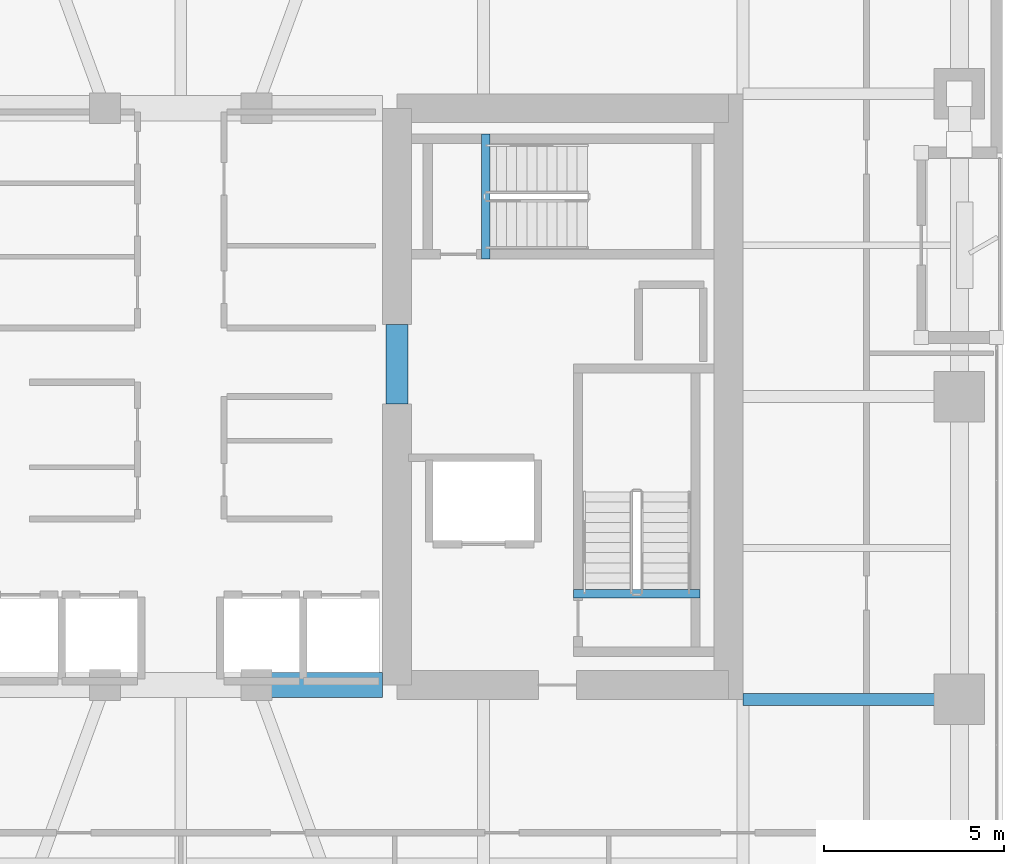
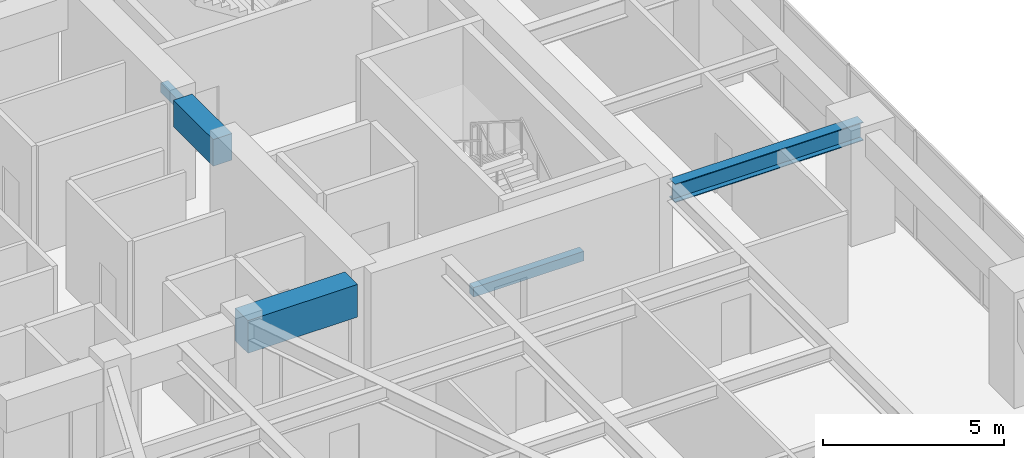
# One storey, part 5 of 24: 5 beams.
"""IFC4 building model written with IfcOpenShell, lengths in metres."""

import ifcopenshell
import ifcopenshell.guid

model = None  # the IFC model being written
_history = None  # IfcOwnerHistory: only IFC2X3 demands one
_inside = {}  # id of a spatial element -> (the spatial element, [elements in it])
_under = {}  # id of a project, library or spatial element -> (it, [spatial elements below it])
_declared = {}  # id of a project -> (the project, [libraries it declares])
_typed = {}  # id of a type object -> (the type object, [elements of that type])
_made_of = {}  # id of a material, layer set ... -> (it, [elements and type objects made of it])


def new_model(schema):
    """Start an empty IFC model of exactly this schema.

    Asked for "IFC4X3", IfcOpenShell would pick the latest addendum, in which some entities
    have other attributes; the version numbers below select the first issue.
    IFC2X3 requires an IfcOwnerHistory on every rooted entity: one is made here for all.
    """
    global model, _history
    if schema == "IFC4X3":
        model = ifcopenshell.file(schema_version=(4, 3, 0, 0))
    else:
        model = ifcopenshell.file(schema=schema)
    _inside.clear()
    _under.clear()
    _declared.clear()
    _typed.clear()
    _made_of.clear()
    _history = None
    if model.schema == "IFC2X3":
        org = make("IfcOrganization", Name="unknown")
        user = make(
            "IfcPersonAndOrganization",
            ThePerson=make("IfcPerson", FamilyName="unknown"),
            TheOrganization=org,
        )
        app = make(
            "IfcApplication",
            ApplicationDeveloper=org,
            Version="unknown",
            ApplicationFullName="unknown",
            ApplicationIdentifier="unknown",
        )
        _history = make(
            "IfcOwnerHistory",
            OwningUser=user,
            OwningApplication=app,
            ChangeAction="ADDED",
            CreationDate=0,
        )
    return model


def make(cls, **values):
    """One entity of the class cls with the attributes given. An attribute that is None is left unset."""
    return model.create_entity(
        cls, **{name: value for name, value in values.items() if value is not None}
    )


def rooted(cls, **values):
    """An entity with a GlobalId (a new one), such as an element, a storey or a relation."""
    return make(cls, GlobalId=ifcopenshell.guid.new(), OwnerHistory=_history, **values)


def si_unit(unit_type, name, prefix=None):
    """IfcSIUnit, for example si_unit("LENGTHUNIT", "METRE", prefix="MILLI")."""
    return make("IfcSIUnit", UnitType=unit_type, Prefix=prefix, Name=name)


def assignment(units):
    """IfcUnitAssignment: the units of a project."""
    return None if units is None else make("IfcUnitAssignment", Units=units)


def point(xyz):
    """IfcCartesianPoint."""
    return None if xyz is None else make("IfcCartesianPoint", Coordinates=xyz)


def direction(xyz):
    """IfcDirection."""
    return None if xyz is None else make("IfcDirection", DirectionRatios=xyz)


def frame(location, z_axis=None, x_axis=None):
    """IfcAxis2Placement3D, a coordinate frame: its origin and axes. An axis left out is left unset."""
    return make(
        "IfcAxis2Placement3D",
        Location=point(location),
        Axis=direction(z_axis),
        RefDirection=direction(x_axis),
    )


def frame_2d(location, x_axis=None):
    """IfcAxis2Placement2D, a coordinate frame in the plane: its origin and x axis."""
    return make(
        "IfcAxis2Placement2D", Location=point(location), RefDirection=direction(x_axis)
    )


def origin():
    """The frame at (0, 0, 0) with its axes left unset."""
    return frame((0.0, 0.0, 0.0))


def origin_2d():
    """The frame at (0, 0) in the plane with its x axis left unset."""
    return frame_2d((0.0, 0.0))


def place(relative_to, where):
    """IfcLocalPlacement: puts the frame where relative to a parent placement (None: the world)."""
    return make(
        "IfcLocalPlacement", PlacementRelTo=relative_to, RelativePlacement=where
    )


def context(
    kind, dimensions, precision=None, world=None, true_north=None, identifier=None
):
    """IfcGeometricRepresentationContext, for example the 3D "Model" context."""
    return make(
        "IfcGeometricRepresentationContext",
        ContextIdentifier=identifier,
        ContextType=kind,
        CoordinateSpaceDimension=dimensions,
        Precision=precision,
        WorldCoordinateSystem=world,
        TrueNorth=true_north,
    )


def subcontext(parent, identifier, kind, view, scale=None):
    """IfcGeometricRepresentationSubContext, for example "Body" below "Model"."""
    return make(
        "IfcGeometricRepresentationSubContext",
        ContextIdentifier=identifier,
        ContextType=kind,
        ParentContext=parent,
        TargetScale=scale,
        TargetView=view,
    )


def project(units=None, contexts=None):
    """IfcProject with its units and contexts."""
    return rooted(
        "IfcProject",
        Name="project",
        RepresentationContexts=contexts,
        UnitsInContext=assignment(units),
    )


def spatial(cls, under=None, at=None, **own):
    """A site, building, storey or space (cls), placed at a placement, below another one or the project."""
    s = rooted(cls, ObjectPlacement=at, **own)
    if under is not None:
        _under.setdefault(under.id(), (under, []))[1].append(s)
    return s


def profile(cls, at=None, kind="AREA", **sizes):
    """A parametric profile (cls). Its sizes go by their IFC names, for example OverallWidth=200.0."""
    return make(cls, ProfileType=kind, Position=at, **sizes)


def rectangle(**sizes):
    """IfcRectangleProfileDef."""
    return profile("IfcRectangleProfileDef", **sizes)


def i_section(**sizes):
    """IfcIShapeProfileDef."""
    return profile("IfcIShapeProfileDef", **sizes)


def extrude(swept, where, along, depth):
    """IfcExtrudedAreaSolid: the profile swept, set in the frame where, extruded along a direction by depth."""
    return make(
        "IfcExtrudedAreaSolid",
        SweptArea=swept,
        Position=where,
        ExtrudedDirection=direction(along),
        Depth=depth,
    )


def shape(context_of_items, identifier, shape_type, items):
    """IfcShapeRepresentation: the items that make up one representation, for example the "Body"."""
    return make(
        "IfcShapeRepresentation",
        ContextOfItems=context_of_items,
        RepresentationIdentifier=identifier,
        RepresentationType=shape_type,
        Items=items,
    )


def material(Name=None, Category=None):
    """IfcMaterial."""
    return make("IfcMaterial", Name=Name, Category=Category)


def material_profile(
    of_material, cross_section, Name=None, Category=None, Priority=None
):
    """IfcMaterialProfile: a cross section and its material."""
    return make(
        "IfcMaterialProfile",
        Name=Name,
        Material=of_material,
        Profile=cross_section,
        Priority=Priority,
        Category=Category,
    )


def profile_set(profiles, Name=None, composite=None):
    """IfcMaterialProfileSet."""
    return make(
        "IfcMaterialProfileSet",
        Name=Name,
        MaterialProfiles=profiles,
        CompositeProfile=composite,
    )


def made_of(thing, what):
    """Note that an element or type object is made of a material, layer set ...; save() writes the relation."""
    if what is not None:
        _made_of.setdefault(what.id(), (what, []))[1].append(thing)
    return thing


def type_object(cls, material=None, **own):
    """A type object (cls), such as IfcWallType, which elements share."""
    return made_of(rooted(cls, **own), material)


def element(
    cls,
    number,
    at=None,
    inside=None,
    cuts=None,
    type_object=None,
    material=None,
    context=None,
    identifier="Body",
    shape_type=None,
    held_by="IfcProductDefinitionShape",
    body=None,
    shapes=None,
    **own,
):
    """One element of the class cls, such as IfcWall. Its Tag is "e" and its number.

    at: its placement. inside: the storey or other place that contains it. cuts: it is an
    opening in that element (IfcRelVoidsElement). A single representation is given by context,
    identifier, shape_type and body (its items); several are given by shapes. held_by: the class
    of the entity that holds the representations. save() writes the other relations.
    """
    e = rooted(cls, Tag="e%d" % number, ObjectPlacement=at, **own)
    if body is not None:
        shapes = [shape(context, identifier, shape_type, body)]
    if shapes is not None:
        e.Representation = make(held_by, Representations=shapes)
    if inside is not None:
        _inside.setdefault(inside.id(), (inside, []))[1].append(e)
    if cuts is not None:
        rooted(
            "IfcRelVoidsElement", RelatingBuildingElement=cuts, RelatedOpeningElement=e
        )
    if type_object is not None:
        _typed.setdefault(type_object.id(), (type_object, []))[1].append(e)
    return made_of(e, material)


def aggregate(whole, parts):
    """IfcRelAggregates: a whole, such as a stair, and the parts it consists of."""
    return rooted("IfcRelAggregates", RelatingObject=whole, RelatedObjects=parts)


def save(model, path):
    """Write the relations noted so far, then the file.

    IfcRelAggregates (storeys below a building ...), IfcRelContainedInSpatialStructure (elements
    in a storey), IfcRelDefinesByType, IfcRelAssociatesMaterial and IfcRelDeclares: one each for
    every whole, place, type object, material and project.
    """
    for whole, parts in _under.values():
        aggregate(whole, parts)
    for where, things in _inside.values():
        rooted(
            "IfcRelContainedInSpatialStructure",
            RelatedElements=things,
            RelatingStructure=where,
        )
    for kind, things in _typed.values():
        rooted("IfcRelDefinesByType", RelatedObjects=things, RelatingType=kind)
    for what, things in _made_of.values():
        rooted("IfcRelAssociatesMaterial", RelatedObjects=things, RelatingMaterial=what)
    for by, libraries in _declared.values():
        rooted("IfcRelDeclares", RelatingContext=by, RelatedDefinitions=libraries)
    model.write(path)


model = new_model("IFC4")

# Units and contexts
model_context = context("Model", 3, precision=1e-05, world=origin(), true_north=direction((0.0, 1.0)))
body_context = subcontext(model_context, "Body", "Model", "MODEL_VIEW")
ifc_project = project(units=[si_unit("LENGTHUNIT", "METRE"), si_unit("AREAUNIT", "SQUARE_METRE"), si_unit("VOLUMEUNIT", "CUBIC_METRE"), si_unit("PLANEANGLEUNIT", "RADIAN"), si_unit("MASSUNIT", "GRAM", prefix="KILO")], contexts=[model_context])

# Site, building, storey
site_placement = place(None, origin())
site = spatial("IfcSite", under=ifc_project, at=site_placement, CompositionType="ELEMENT")
building_placement = place(site_placement, origin())
building = spatial("IfcBuilding", under=site, at=building_placement, Name="Kiyonajd Concourse Tower", CompositionType="ELEMENT")
storey_placement = place(building_placement, frame((0.0, 0.0, 97.5)))
storey = spatial("IfcBuildingStorey", under=building, at=storey_placement, Name="L25", CompositionType="ELEMENT", Elevation=97.5)

# Beams
ifc_material_1 = material(Name="Concrete C70/85", Category="concrete")
ifc_material_profile_1 = material_profile(ifc_material_1, rectangle(XDim=0.699951171875, YDim=1.10009765625, at=origin_2d()), Name="RCBM-700x1100")
ifc_profile_set_1 = profile_set([ifc_material_profile_1], Name="Concrete C70/85")
beam_type_1 = type_object("IfcBeamType", Name="BM-COUP-1100", PredefinedType="LINTEL", material=ifc_profile_set_1)
beam_1_placement = place(storey_placement, frame((50.10009765625, 28.0, 3.090087890625), z_axis=(1.0, 0.0, 0.0), x_axis=(0.0, 1.0, 0.0)))
element("IfcBeam", 1, at=beam_1_placement, inside=storey, type_object=beam_type_1, Name="L25 Core Coupling Beam S3", PredefinedType="LINTEL", context=body_context, shape_type="SweptSolid", body=[
    extrude(rectangle(XDim=0.699951171875, YDim=1.10009765625, at=origin_2d()), origin(), (0.0, 0.0, 1.0), 3.5),
])
ifc_material_2 = material(Name="Concrete C60/75", Category="concrete")
ifc_material_profile_2 = material_profile(ifc_material_2, rectangle(XDim=0.60009765625, YDim=0.89990234375, at=origin_2d()), Name="RCBM-600x900")
ifc_profile_set_2 = profile_set([ifc_material_profile_2], Name="Concrete C60/75")
beam_type_2 = type_object("IfcBeamType", Name="BM-COUP-900", PredefinedType="LINTEL", material=ifc_profile_set_2)
beam_2_placement = place(storey_placement, frame((54.0, 35.800048828125, 3.090087890625), z_axis=(0.0, 1.0, 0.0), x_axis=(-1.0, 0.0, 0.0)))
element("IfcBeam", 2, at=beam_2_placement, inside=storey, type_object=beam_type_2, Name="L25 East Core Throat Coupling Lintel", PredefinedType="LINTEL", context=body_context, shape_type="SweptSolid", body=[
    extrude(rectangle(XDim=0.60009765625, YDim=0.89990234375, at=origin_2d()), origin(), (0.0, 0.0, 1.0), 2.199951171875),
])
ifc_material_3 = material(Name="Concrete C50/60", Category="concrete")
ifc_material_profile_3 = material_profile(ifc_material_3, rectangle(XDim=0.239990234375, YDim=0.320068359375, at=origin_2d()), Name="RCBM-240x320")
ifc_profile_set_3 = profile_set([ifc_material_profile_3], Name="Concrete C50/60")
beam_type_3 = type_object("IfcBeamType", Name="BM-LNT-250", PredefinedType="LINTEL", material=ifc_profile_set_3)
beam_3_placement = place(storey_placement, frame((58.889892578125, 30.530029296875, -0.159912109375), z_axis=(1.0, 0.0, 0.0), x_axis=(0.0, 1.0, 0.0)))
element("IfcBeam", 3, at=beam_3_placement, inside=storey, type_object=beam_type_3, Name="L25 Stair ST2 Threshold Support Beam", PredefinedType="LINTEL", context=body_context, shape_type="SweptSolid", body=[
    extrude(rectangle(XDim=0.239990234375, YDim=0.320068359375, at=origin_2d()), origin(), (0.0, 0.0, 1.0), 3.52001953125),
])
beam_4_placement = place(storey_placement, frame((56.4599609375, 39.820068359375, -0.159912109375), z_axis=(0.0, 1.0, 0.0), x_axis=(-1.0, 0.0, 0.0)))
element("IfcBeam", 4, at=beam_4_placement, inside=storey, type_object=beam_type_3, Name="L25 Stair ST3 Threshold Support Beam", PredefinedType="LINTEL", context=body_context, shape_type="SweptSolid", body=[
    extrude(rectangle(XDim=0.239990234375, YDim=0.320068359375, at=origin_2d()), origin(), (0.0, 0.0, 1.0), 3.4599609375),
])
ifc_material_4 = material(Name="Steel ASTM A992 Grade 50", Category="steel")
ifc_material_profile_4 = material_profile(ifc_material_4, i_section(OverallWidth=0.326904296875, OverallDepth=0.6220703125, WebThickness=0.015380859375, FlangeThickness=0.0244140625, at=origin_2d()), Name="W610X195")
ifc_profile_set_4 = profile_set([ifc_material_profile_4], Name="Steel ASTM A992 Grade 50")
beam_type_4 = type_object("IfcBeamType", Name="BM-TWR-610A", PredefinedType="BEAM", material=ifc_profile_set_4)
beam_5_placement = place(storey_placement, frame((63.60009765625, 27.60009765625, 3.3291015625), z_axis=(1.0, 0.0, 0.0), x_axis=(0.0, 1.0, 0.0)))
element("IfcBeam", 5, at=beam_5_placement, inside=storey, type_object=beam_type_4, Name="L25 East Lease Girder", PredefinedType="BEAM", context=body_context, shape_type="SweptSolid", body=[
    extrude(i_section(OverallWidth=0.326904296875, OverallDepth=0.6220703125, WebThickness=0.015380859375, FlangeThickness=0.0244140625, at=origin_2d()), origin(), (0.0, 0.0, 1.0), 6.0),
])

save(model, "model.ifc")
